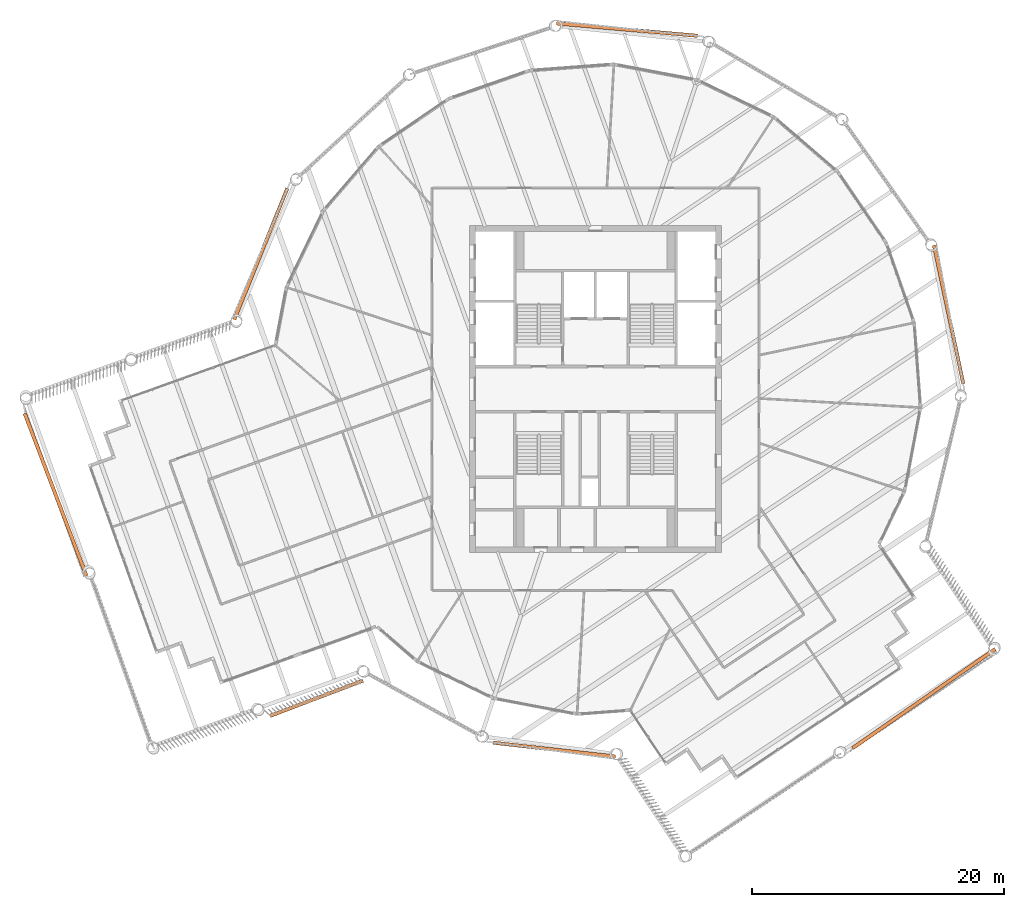
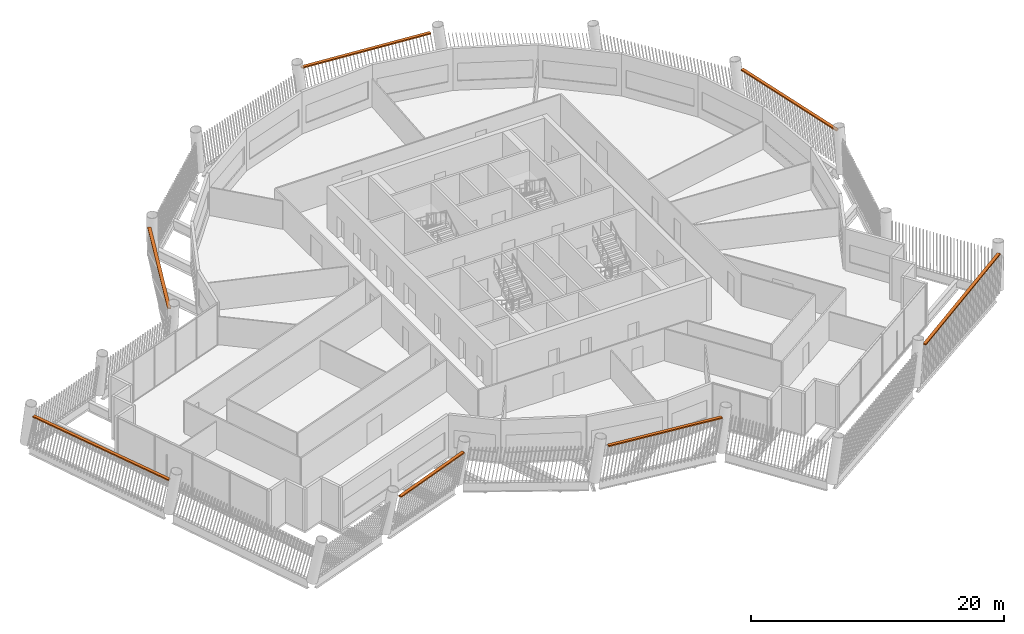
# One storey, part 28 of 28: 7 proxies.
"""IFC4 building model written with IfcOpenShell, lengths in metres."""

import ifcopenshell
import ifcopenshell.guid

model = None  # the IFC model being written
_history = None  # IfcOwnerHistory: only IFC2X3 demands one
_inside = {}  # id of a spatial element -> (the spatial element, [elements in it])
_under = {}  # id of a project, library or spatial element -> (it, [spatial elements below it])
_declared = {}  # id of a project -> (the project, [libraries it declares])
_typed = {}  # id of a type object -> (the type object, [elements of that type])
_made_of = {}  # id of a material, layer set ... -> (it, [elements and type objects made of it])


def new_model(schema):
    """Start an empty IFC model of exactly this schema.

    Asked for "IFC4X3", IfcOpenShell would pick the latest addendum, in which some entities
    have other attributes; the version numbers below select the first issue.
    IFC2X3 requires an IfcOwnerHistory on every rooted entity: one is made here for all.
    """
    global model, _history
    if schema == "IFC4X3":
        model = ifcopenshell.file(schema_version=(4, 3, 0, 0))
    else:
        model = ifcopenshell.file(schema=schema)
    _inside.clear()
    _under.clear()
    _declared.clear()
    _typed.clear()
    _made_of.clear()
    _history = None
    if model.schema == "IFC2X3":
        org = make("IfcOrganization", Name="unknown")
        user = make(
            "IfcPersonAndOrganization",
            ThePerson=make("IfcPerson", FamilyName="unknown"),
            TheOrganization=org,
        )
        app = make(
            "IfcApplication",
            ApplicationDeveloper=org,
            Version="unknown",
            ApplicationFullName="unknown",
            ApplicationIdentifier="unknown",
        )
        _history = make(
            "IfcOwnerHistory",
            OwningUser=user,
            OwningApplication=app,
            ChangeAction="ADDED",
            CreationDate=0,
        )
    return model


def make(cls, **values):
    """One entity of the class cls with the attributes given. An attribute that is None is left unset."""
    return model.create_entity(
        cls, **{name: value for name, value in values.items() if value is not None}
    )


def rooted(cls, **values):
    """An entity with a GlobalId (a new one), such as an element, a storey or a relation."""
    return make(cls, GlobalId=ifcopenshell.guid.new(), OwnerHistory=_history, **values)


def si_unit(unit_type, name, prefix=None):
    """IfcSIUnit, for example si_unit("LENGTHUNIT", "METRE", prefix="MILLI")."""
    return make("IfcSIUnit", UnitType=unit_type, Prefix=prefix, Name=name)


def assignment(units):
    """IfcUnitAssignment: the units of a project."""
    return None if units is None else make("IfcUnitAssignment", Units=units)


def point(xyz):
    """IfcCartesianPoint."""
    return None if xyz is None else make("IfcCartesianPoint", Coordinates=xyz)


def direction(xyz):
    """IfcDirection."""
    return None if xyz is None else make("IfcDirection", DirectionRatios=xyz)


def frame(location, z_axis=None, x_axis=None):
    """IfcAxis2Placement3D, a coordinate frame: its origin and axes. An axis left out is left unset."""
    return make(
        "IfcAxis2Placement3D",
        Location=point(location),
        Axis=direction(z_axis),
        RefDirection=direction(x_axis),
    )


def frame_2d(location, x_axis=None):
    """IfcAxis2Placement2D, a coordinate frame in the plane: its origin and x axis."""
    return make(
        "IfcAxis2Placement2D", Location=point(location), RefDirection=direction(x_axis)
    )


def origin():
    """The frame at (0, 0, 0) with its axes left unset."""
    return frame((0.0, 0.0, 0.0))


def origin_2d():
    """The frame at (0, 0) in the plane with its x axis left unset."""
    return frame_2d((0.0, 0.0))


def place(relative_to, where):
    """IfcLocalPlacement: puts the frame where relative to a parent placement (None: the world)."""
    return make(
        "IfcLocalPlacement", PlacementRelTo=relative_to, RelativePlacement=where
    )


def context(
    kind, dimensions, precision=None, world=None, true_north=None, identifier=None
):
    """IfcGeometricRepresentationContext, for example the 3D "Model" context."""
    return make(
        "IfcGeometricRepresentationContext",
        ContextIdentifier=identifier,
        ContextType=kind,
        CoordinateSpaceDimension=dimensions,
        Precision=precision,
        WorldCoordinateSystem=world,
        TrueNorth=true_north,
    )


def subcontext(parent, identifier, kind, view, scale=None):
    """IfcGeometricRepresentationSubContext, for example "Body" below "Model"."""
    return make(
        "IfcGeometricRepresentationSubContext",
        ContextIdentifier=identifier,
        ContextType=kind,
        ParentContext=parent,
        TargetScale=scale,
        TargetView=view,
    )


def project(units=None, contexts=None):
    """IfcProject with its units and contexts."""
    return rooted(
        "IfcProject",
        Name="project",
        RepresentationContexts=contexts,
        UnitsInContext=assignment(units),
    )


def spatial(cls, under=None, at=None, **own):
    """A site, building, storey or space (cls), placed at a placement, below another one or the project."""
    s = rooted(cls, ObjectPlacement=at, **own)
    if under is not None:
        _under.setdefault(under.id(), (under, []))[1].append(s)
    return s


def profile(cls, at=None, kind="AREA", **sizes):
    """A parametric profile (cls). Its sizes go by their IFC names, for example OverallWidth=200.0."""
    return make(cls, ProfileType=kind, Position=at, **sizes)


def rectangle(**sizes):
    """IfcRectangleProfileDef."""
    return profile("IfcRectangleProfileDef", **sizes)


def extrude(swept, where, along, depth):
    """IfcExtrudedAreaSolid: the profile swept, set in the frame where, extruded along a direction by depth."""
    return make(
        "IfcExtrudedAreaSolid",
        SweptArea=swept,
        Position=where,
        ExtrudedDirection=direction(along),
        Depth=depth,
    )


def shape(context_of_items, identifier, shape_type, items):
    """IfcShapeRepresentation: the items that make up one representation, for example the "Body"."""
    return make(
        "IfcShapeRepresentation",
        ContextOfItems=context_of_items,
        RepresentationIdentifier=identifier,
        RepresentationType=shape_type,
        Items=items,
    )


def material(Name=None, Category=None):
    """IfcMaterial."""
    return make("IfcMaterial", Name=Name, Category=Category)


def made_of(thing, what):
    """Note that an element or type object is made of a material, layer set ...; save() writes the relation."""
    if what is not None:
        _made_of.setdefault(what.id(), (what, []))[1].append(thing)
    return thing


def type_object(cls, material=None, **own):
    """A type object (cls), such as IfcWallType, which elements share."""
    return made_of(rooted(cls, **own), material)


def element(
    cls,
    number,
    at=None,
    inside=None,
    cuts=None,
    type_object=None,
    material=None,
    context=None,
    identifier="Body",
    shape_type=None,
    held_by="IfcProductDefinitionShape",
    body=None,
    shapes=None,
    **own,
):
    """One element of the class cls, such as IfcWall. Its Tag is "e" and its number.

    at: its placement. inside: the storey or other place that contains it. cuts: it is an
    opening in that element (IfcRelVoidsElement). A single representation is given by context,
    identifier, shape_type and body (its items); several are given by shapes. held_by: the class
    of the entity that holds the representations. save() writes the other relations.
    """
    e = rooted(cls, Tag="e%d" % number, ObjectPlacement=at, **own)
    if body is not None:
        shapes = [shape(context, identifier, shape_type, body)]
    if shapes is not None:
        e.Representation = make(held_by, Representations=shapes)
    if inside is not None:
        _inside.setdefault(inside.id(), (inside, []))[1].append(e)
    if cuts is not None:
        rooted(
            "IfcRelVoidsElement", RelatingBuildingElement=cuts, RelatedOpeningElement=e
        )
    if type_object is not None:
        _typed.setdefault(type_object.id(), (type_object, []))[1].append(e)
    return made_of(e, material)


def aggregate(whole, parts):
    """IfcRelAggregates: a whole, such as a stair, and the parts it consists of."""
    return rooted("IfcRelAggregates", RelatingObject=whole, RelatedObjects=parts)


def save(model, path):
    """Write the relations noted so far, then the file.

    IfcRelAggregates (storeys below a building ...), IfcRelContainedInSpatialStructure (elements
    in a storey), IfcRelDefinesByType, IfcRelAssociatesMaterial and IfcRelDeclares: one each for
    every whole, place, type object, material and project.
    """
    for whole, parts in _under.values():
        aggregate(whole, parts)
    for where, things in _inside.values():
        rooted(
            "IfcRelContainedInSpatialStructure",
            RelatedElements=things,
            RelatingStructure=where,
        )
    for kind, things in _typed.values():
        rooted("IfcRelDefinesByType", RelatedObjects=things, RelatingType=kind)
    for what, things in _made_of.values():
        rooted("IfcRelAssociatesMaterial", RelatedObjects=things, RelatingMaterial=what)
    for by, libraries in _declared.values():
        rooted("IfcRelDeclares", RelatingContext=by, RelatedDefinitions=libraries)
    model.write(path)


model = new_model("IFC4")

# Units and contexts
model_context = context("Model", 3, precision=1e-05, world=origin(), true_north=direction((0.0, 1.0)))
body_context = subcontext(model_context, "Body", "Model", "MODEL_VIEW")
ifc_project = project(units=[si_unit("LENGTHUNIT", "METRE"), si_unit("AREAUNIT", "SQUARE_METRE"), si_unit("VOLUMEUNIT", "CUBIC_METRE"), si_unit("PLANEANGLEUNIT", "RADIAN"), si_unit("MASSUNIT", "GRAM", prefix="KILO")], contexts=[model_context])

# Site, building, storey
site_placement = place(None, origin())
site = spatial("IfcSite", under=ifc_project, at=site_placement, CompositionType="ELEMENT")
building_placement = place(site_placement, origin())
building = spatial("IfcBuilding", under=site, at=building_placement, Name="Tarsis Ring Headquarters", CompositionType="ELEMENT")
storey_placement = place(building_placement, frame((0.0, 0.0, 365.0)))
storey = spatial("IfcBuildingStorey", under=building, at=storey_placement, Name="L86", CompositionType="ELEMENT", Elevation=365.0)

# Proxies
ifc_material = material(Name="Structural steel S355", Category="steel")
building_element_proxy_type = type_object("IfcBuildingElementProxyType", Name="Screen bracket plate", PredefinedType="USERDEFINED", material=ifc_material)
proxy_1_placement = place(storey_placement, frame((-3.272216796875, -28.65234375, 3.280517578125), z_axis=(0.0, 0.0, 1.0), x_axis=(0.99354215143, -0.113463621179, 0.0)))
element("IfcBuildingElementProxy", 1, at=proxy_1_placement, inside=storey, type_object=building_element_proxy_type, Name="Screen bracket L86-00", ObjectType="Bracket", PredefinedType="USERDEFINED", context=body_context, shape_type="SweptSolid", body=[
    extrude(rectangle(XDim=9.771728515625, YDim=0.28271484375, at=origin_2d()), origin(), (0.0, 0.0, 1.0), 0.1201171875),
])
proxy_2_placement = place(storey_placement, frame((26.10498046875, -24.593994140625, 3.280517578125), z_axis=(0.0, 0.0, 1.0), x_axis=(0.821149199173, 0.570713582016, 0.0)))
element("IfcBuildingElementProxy", 2, at=proxy_2_placement, inside=storey, type_object=building_element_proxy_type, Name="Screen bracket L86-03", ObjectType="Bracket", PredefinedType="USERDEFINED", context=body_context, shape_type="SweptSolid", body=[
    extrude(rectangle(XDim=13.800048828125, YDim=0.28271484375, at=origin_2d()), origin(), (0.0, 0.0, 1.0), 0.1201171875),
])
for number, where, z_axis, x_axis, name in (
    (3, (28.068115234375, 5.937255859375, 3.280517578125), (0.0, 0.0, 1.0), (-0.206951706426, 0.978351159455, 0.0), "Screen bracket L86-06"),
    (4, (2.514892578125, 28.578857421875, 3.280517578125), (0.0, 0.0, 1.0), (-0.996150837953, 0.087655621868, 0.0), "Screen bracket L86-09"),
    (5, (-26.60009765625, 10.747802734375, 3.280517578125), (0.0, 0.0, 1.0), (-0.374627274444, -0.927175498621, 0.0), "Screen bracket L86-12"),
):
    element("IfcBuildingElementProxy", number, at=place(storey_placement, frame(where, z_axis=z_axis, x_axis=x_axis)), inside=storey, type_object=building_element_proxy_type, Name=name, ObjectType="Bracket", PredefinedType="USERDEFINED", context=body_context, shape_type="SweptSolid", body=[
        extrude(rectangle(XDim=11.248779296875, YDim=0.28271484375, at=origin_2d()), origin(), (0.0, 0.0, 1.0), 0.1201171875),
    ])
proxy_3_placement = place(storey_placement, frame((-42.912841796875, -8.38525390625, 3.280517578125), z_axis=(0.0, 0.0, 1.0), x_axis=(0.355106962408, -0.934825676396, 0.0)))
element("IfcBuildingElementProxy", 6, at=proxy_3_placement, inside=storey, type_object=building_element_proxy_type, Name="Screen bracket L86-15", ObjectType="Bracket", PredefinedType="USERDEFINED", context=body_context, shape_type="SweptSolid", body=[
    extrude(rectangle(XDim=13.800048828125, YDim=0.28271484375, at=origin_2d()), origin(), (0.0, 0.0, 1.0), 0.1201171875),
])
proxy_4_placement = place(storey_placement, frame((-22.16748046875, -24.566650390625, 3.280517578125), z_axis=(0.0, 0.0, 1.0), x_axis=(0.934825707385, 0.355106880829, 0.0)))
element("IfcBuildingElementProxy", 7, at=proxy_4_placement, inside=storey, type_object=building_element_proxy_type, Name="Screen bracket L86-18", ObjectType="Bracket", PredefinedType="USERDEFINED", context=body_context, shape_type="SweptSolid", body=[
    extrude(rectangle(XDim=7.90234375, YDim=0.28271484375, at=origin_2d()), origin(), (0.0, 0.0, 1.0), 0.1201171875),
])

save(model, "model.ifc")
